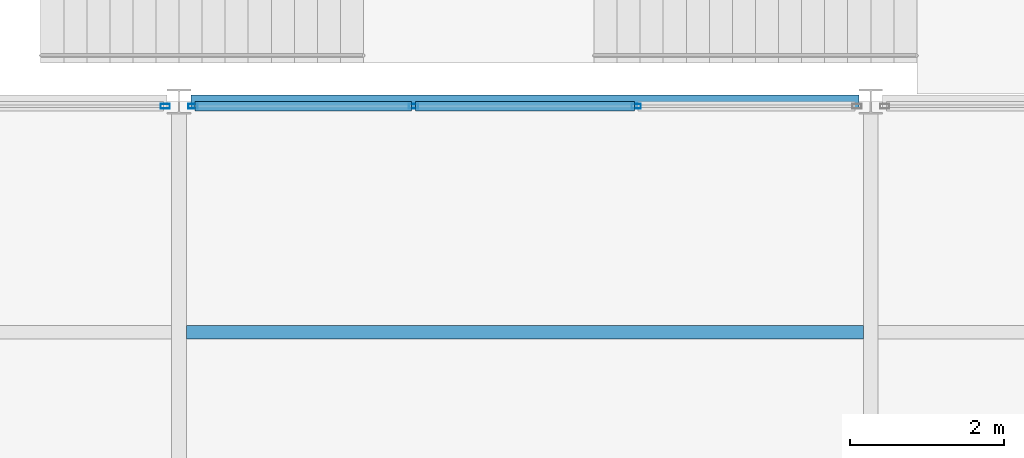
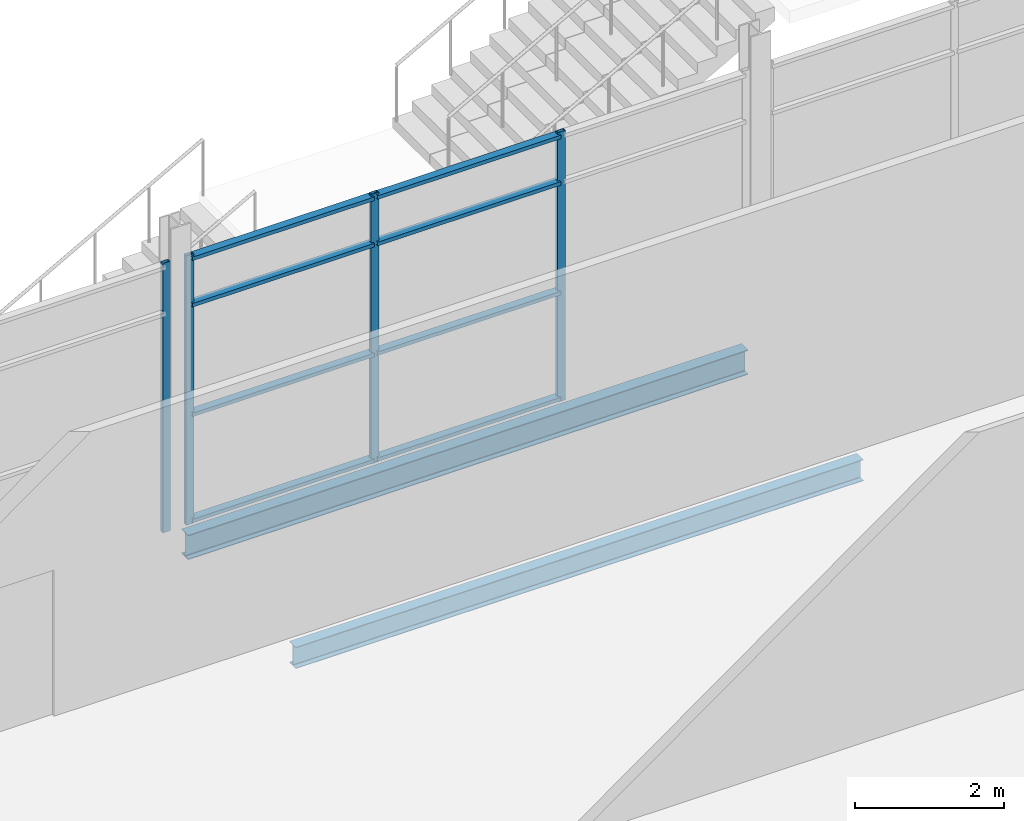
# One storey, part 26 of 112: 12 members, 2 beams, 2 elements without a shape of their own.
"""IFC4 building model written with IfcOpenShell, lengths in metres."""

from ifc_helpers import new_model, si_unit, direction, frame, origin, origin_2d, place, context, subcontext, project, spatial, hollow_rectangle, i_section, extrude, material, layer, layer_set, material_profile, profile_set, type_object, element, aggregate, save


model = new_model("IFC4")

# Units and contexts
model_context = context("Model", 3, precision=1e-05, world=origin(), true_north=direction((0.0, 1.0)))
body_context = subcontext(model_context, "Body", "Model", "MODEL_VIEW")
ifc_project = project(units=[si_unit("LENGTHUNIT", "METRE"), si_unit("AREAUNIT", "SQUARE_METRE"), si_unit("VOLUMEUNIT", "CUBIC_METRE"), si_unit("PLANEANGLEUNIT", "RADIAN"), si_unit("MASSUNIT", "GRAM", prefix="KILO")], contexts=[model_context])

# Site, building, storey
site_placement = place(None, origin())
site = spatial("IfcSite", under=ifc_project, at=site_placement, CompositionType="ELEMENT")
building_placement = place(site_placement, origin())
building = spatial("IfcBuilding", under=site, at=building_placement, Name="Shorebreak Coast Museum", CompositionType="ELEMENT")
storey_placement = place(building_placement, frame((0.0, 0.0, 6.0)))
storey = spatial("IfcBuildingStorey", under=building, at=storey_placement, Name="L01", CompositionType="ELEMENT", Elevation=6.0)

# Beams
ifc_material_1 = material(Name="Steel Grade 300", Category="steel")
ifc_material_profile_1 = material_profile(ifc_material_1, i_section(OverallWidth=0.177978515625, OverallDepth=0.402587890625, WebThickness=0.007568359375, FlangeThickness=0.010986328125, FilletRadius=0.011474609375, at=origin_2d()), Name="410UB53.7")
ifc_profile_set_1 = profile_set([ifc_material_profile_1], Name="Steel Grade 300")
beam_type_1 = type_object("IfcBeamType", Name="Floor girder east-west 410UB53.7", PredefinedType="BEAM", material=ifc_profile_set_1)
beam_1_placement = place(storey_placement, frame((90.155517578125, 63.0, -0.376220703125), z_axis=(1.0, 0.0, 0.0), x_axis=(0.0, 1.0, 0.0)))
element("IfcBeam", 1, at=beam_1_placement, inside=storey, type_object=beam_type_1, Name="Floor girder east-west L01 11H", PredefinedType="BEAM", context=body_context, shape_type="SweptSolid", body=[
    extrude(i_section(OverallWidth=0.177978515625, OverallDepth=0.402587890625, WebThickness=0.007568359375, FlangeThickness=0.010986328125, FilletRadius=0.011474609375, at=origin_2d()), origin(), (0.0, 0.0, 1.0), 8.68896484375),
])
ifc_material_2 = material(Name="Steel Grade 300", Category="steel")
ifc_material_profile_2 = material_profile(ifc_material_2, i_section(OverallWidth=0.1708984375, OverallDepth=0.35205078125, WebThickness=0.0068359375, FlangeThickness=0.009765625, FilletRadius=0.011474609375, at=origin_2d()), Name="360UB44.7")
ifc_profile_set_2 = profile_set([ifc_material_profile_2], Name="Steel Grade 300")
beam_type_2 = type_object("IfcBeamType", Name="Floor joist 360UB44.7", PredefinedType="JOIST", material=ifc_profile_set_2)
beam_2_placement = place(storey_placement, frame((90.095458984375, 60.0, -0.35107421875), z_axis=(1.0, 0.0, 0.0), x_axis=(0.0, 1.0, 0.0)))
element("IfcBeam", 2, at=beam_2_placement, inside=storey, type_object=beam_type_2, Name="Floor joist L01 bay 11G at 6000 mm", PredefinedType="JOIST", context=body_context, shape_type="SweptSolid", body=[
    extrude(i_section(OverallWidth=0.1708984375, OverallDepth=0.35205078125, WebThickness=0.0068359375, FlangeThickness=0.009765625, FilletRadius=0.011474609375, at=origin_2d()), origin(), (0.0, 0.0, 1.0), 8.80908203125),
])

# Curtain wall, member
ifc_material_3 = material(Name="Aluminium", Category="aluminium")
ifc_layer = layer(ifc_material_3, 0.1201171875)
ifc_layer_set = layer_set([ifc_layer], Name="Aluminium")
curtain_wall_type = type_object("IfcCurtainWallType", Name="Atrium fire screen", PredefinedType="NOTDEFINED", material=ifc_layer_set)
curtain_wall_1_placement = place(storey_placement, origin())
curtain_wall_1 = element("IfcCurtainWall", 3, at=curtain_wall_1_placement, inside=storey, type_object=curtain_wall_type, Name="Atrium screen L01 S 4", PredefinedType="NOTDEFINED")
ifc_material_4 = material(Name="Aluminium", Category="aluminium")
ifc_material_profile_3 = material_profile(ifc_material_4, hollow_rectangle(XDim=0.06005859375, YDim=0.1201171875, WallThickness=0.00341796875, at=origin_2d()), Name="AL 120x60 RHS")
ifc_profile_set_3 = profile_set([ifc_material_profile_3], Name="Aluminium")
member_type_1 = type_object("IfcMemberType", Name="Screen mullion 50 x 120", PredefinedType="MULLION", material=ifc_profile_set_3)
member_1_placement = place(storey_placement, frame((89.819580078125, 62.93994140625, 0.0), z_axis=(0.0, 0.0, 1.0), x_axis=(0.0, 1.0, 0.0)))
member_1 = element("IfcMember", 4, at=member_1_placement, type_object=member_type_1, Name="CW5 mullion 2", PredefinedType="MULLION", context=body_context, shape_type="SweptSolid", body=[
    extrude(hollow_rectangle(XDim=0.06005859375, YDim=0.1201171875, WallThickness=0.00341796875, at=origin_2d()), origin(), (0.0, 0.0, 1.0), 4.42236328125),
])
aggregate(curtain_wall_1, [member_1])

# Curtain wall, members
curtain_wall_2_placement = place(storey_placement, origin())
curtain_wall_2 = element("IfcCurtainWall", 5, at=curtain_wall_2_placement, inside=storey, type_object=curtain_wall_type, Name="Atrium screen L01 S 5", PredefinedType="NOTDEFINED")
member_2_placement = place(storey_placement, frame((90.180419921875, 62.93994140625, 0.0), z_axis=(0.0, 0.0, 1.0), x_axis=(0.0, 1.0, 0.0)))
member_2 = element("IfcMember", 6, at=member_2_placement, type_object=member_type_1, Name="CW6 mullion 1", PredefinedType="MULLION", context=body_context, shape_type="SweptSolid", body=[
    extrude(hollow_rectangle(XDim=0.06005859375, YDim=0.1201171875, WallThickness=0.00341796875, at=origin_2d()), origin(), (0.0, 0.0, 1.0), 4.42236328125),
])
member_3_placement = place(storey_placement, frame((93.0517578125, 62.93994140625, 0.0), z_axis=(0.0, 0.0, 1.0), x_axis=(0.0, 1.0, 0.0)))
member_3 = element("IfcMember", 7, at=member_3_placement, type_object=member_type_1, Name="CW6 mullion 2", PredefinedType="MULLION", context=body_context, shape_type="SweptSolid", body=[
    extrude(hollow_rectangle(XDim=0.06005859375, YDim=0.1201171875, WallThickness=0.00341796875, at=origin_2d()), origin(), (0.0, 0.0, 1.0), 4.42236328125),
])
member_4_placement = place(storey_placement, frame((95.9482421875, 62.93994140625, 0.0), z_axis=(0.0, 0.0, 1.0), x_axis=(0.0, 1.0, 0.0)))
member_4 = element("IfcMember", 8, at=member_4_placement, type_object=member_type_1, Name="CW6 mullion 3", PredefinedType="MULLION", context=body_context, shape_type="SweptSolid", body=[
    extrude(hollow_rectangle(XDim=0.06005859375, YDim=0.1201171875, WallThickness=0.00341796875, at=origin_2d()), origin(), (0.0, 0.0, 1.0), 4.42236328125),
])
ifc_material_5 = material(Name="Aluminium", Category="aluminium")
ifc_material_profile_4 = material_profile(ifc_material_5, hollow_rectangle(XDim=0.1201171875, YDim=0.06005859375, WallThickness=0.00341796875, at=origin_2d()), Name="AL 60x120 RHS")
ifc_profile_set_4 = profile_set([ifc_material_profile_4], Name="Aluminium")
member_type_2 = type_object("IfcMemberType", Name="Screen transom 120 x 50", PredefinedType="USERDEFINED", material=ifc_profile_set_4)
member_5_placement = place(storey_placement, frame((90.20556640625, 62.93994140625, 0.06005859375), z_axis=(1.0, 0.0, 0.0), x_axis=(0.0, 1.0, 0.0)))
member_5 = element("IfcMember", 9, at=member_5_placement, type_object=member_type_2, Name="CW6 transom 1.1", ObjectType="TRANSOM", PredefinedType="USERDEFINED", context=body_context, shape_type="SweptSolid", body=[
    extrude(hollow_rectangle(XDim=0.1201171875, YDim=0.06005859375, WallThickness=0.00341796875, at=origin_2d()), origin(), (0.0, 0.0, 1.0), 2.8212890625),
])
member_6_placement = place(storey_placement, frame((90.20556640625, 62.93994140625, 1.800048828125), z_axis=(1.0, 0.0, 0.0), x_axis=(0.0, 1.0, 0.0)))
member_6 = element("IfcMember", 10, at=member_6_placement, type_object=member_type_2, Name="CW6 transom 1.2", ObjectType="TRANSOM", PredefinedType="USERDEFINED", context=body_context, shape_type="SweptSolid", body=[
    extrude(hollow_rectangle(XDim=0.1201171875, YDim=0.06005859375, WallThickness=0.00341796875, at=origin_2d()), origin(), (0.0, 0.0, 1.0), 2.8212890625),
])
member_7_placement = place(storey_placement, frame((90.20556640625, 62.93994140625, 3.60009765625), z_axis=(1.0, 0.0, 0.0), x_axis=(0.0, 1.0, 0.0)))
member_7 = element("IfcMember", 11, at=member_7_placement, type_object=member_type_2, Name="CW6 transom 1.3", ObjectType="TRANSOM", PredefinedType="USERDEFINED", context=body_context, shape_type="SweptSolid", body=[
    extrude(hollow_rectangle(XDim=0.1201171875, YDim=0.06005859375, WallThickness=0.00341796875, at=origin_2d()), origin(), (0.0, 0.0, 1.0), 2.8212890625),
])
member_8_placement = place(storey_placement, frame((90.20556640625, 62.93994140625, 4.3623046875), z_axis=(1.0, 0.0, 0.0), x_axis=(0.0, 1.0, 0.0)))
member_8 = element("IfcMember", 12, at=member_8_placement, type_object=member_type_2, Name="CW6 transom 1.4", ObjectType="TRANSOM", PredefinedType="USERDEFINED", context=body_context, shape_type="SweptSolid", body=[
    extrude(hollow_rectangle(XDim=0.1201171875, YDim=0.06005859375, WallThickness=0.00341796875, at=origin_2d()), origin(), (0.0, 0.0, 1.0), 2.8212890625),
])
member_9_placement = place(storey_placement, frame((93.076904296875, 62.93994140625, 0.06005859375), z_axis=(1.0, 0.0, 0.0), x_axis=(0.0, 1.0, 0.0)))
member_9 = element("IfcMember", 13, at=member_9_placement, type_object=member_type_2, Name="CW6 transom 2.1", ObjectType="TRANSOM", PredefinedType="USERDEFINED", context=body_context, shape_type="SweptSolid", body=[
    extrude(hollow_rectangle(XDim=0.1201171875, YDim=0.06005859375, WallThickness=0.00341796875, at=origin_2d()), origin(), (0.0, 0.0, 1.0), 2.84619140625),
])
member_10_placement = place(storey_placement, frame((93.076904296875, 62.93994140625, 1.800048828125), z_axis=(1.0, 0.0, 0.0), x_axis=(0.0, 1.0, 0.0)))
member_10 = element("IfcMember", 14, at=member_10_placement, type_object=member_type_2, Name="CW6 transom 2.2", ObjectType="TRANSOM", PredefinedType="USERDEFINED", context=body_context, shape_type="SweptSolid", body=[
    extrude(hollow_rectangle(XDim=0.1201171875, YDim=0.06005859375, WallThickness=0.00341796875, at=origin_2d()), origin(), (0.0, 0.0, 1.0), 2.84619140625),
])
member_11_placement = place(storey_placement, frame((93.076904296875, 62.93994140625, 3.60009765625), z_axis=(1.0, 0.0, 0.0), x_axis=(0.0, 1.0, 0.0)))
member_11 = element("IfcMember", 15, at=member_11_placement, type_object=member_type_2, Name="CW6 transom 2.3", ObjectType="TRANSOM", PredefinedType="USERDEFINED", context=body_context, shape_type="SweptSolid", body=[
    extrude(hollow_rectangle(XDim=0.1201171875, YDim=0.06005859375, WallThickness=0.00341796875, at=origin_2d()), origin(), (0.0, 0.0, 1.0), 2.84619140625),
])
member_12_placement = place(storey_placement, frame((93.076904296875, 62.93994140625, 4.3623046875), z_axis=(1.0, 0.0, 0.0), x_axis=(0.0, 1.0, 0.0)))
member_12 = element("IfcMember", 16, at=member_12_placement, type_object=member_type_2, Name="CW6 transom 2.4", ObjectType="TRANSOM", PredefinedType="USERDEFINED", context=body_context, shape_type="SweptSolid", body=[
    extrude(hollow_rectangle(XDim=0.1201171875, YDim=0.06005859375, WallThickness=0.00341796875, at=origin_2d()), origin(), (0.0, 0.0, 1.0), 2.84619140625),
])
aggregate(curtain_wall_2, [member_2, member_3, member_4, member_5, member_6, member_7, member_8, member_9, member_10, member_11, member_12])

save(model, "model.ifc")
